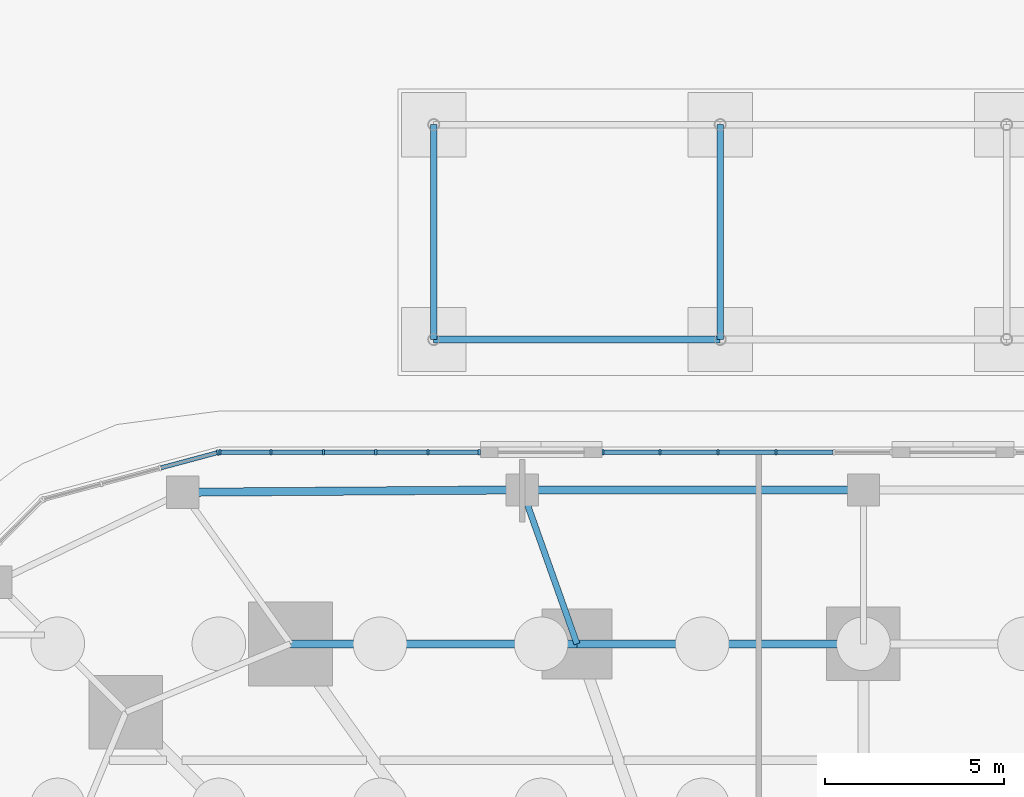
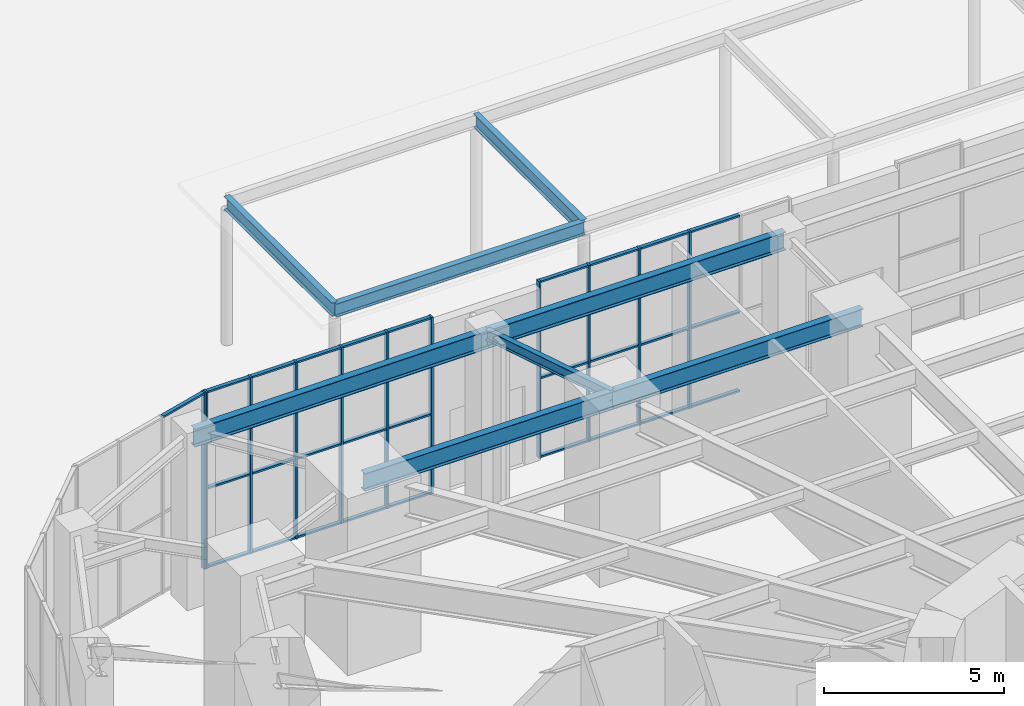
# One storey, part 14 of 43: 39 members, 8 beams, 3 elements without a shape of their own.
"""IFC4 building model written with IfcOpenShell, lengths in metres."""

from ifc_helpers import new_model, si_unit, direction, frame, origin, origin_2d, place, context, subcontext, project, spatial, rectangle, i_section, extrude, material, material_profile, profile_set, type_object, element, aggregate, save


model = new_model("IFC4")

# Units and contexts
model_context = context("Model", 3, precision=1e-05, world=origin(), true_north=direction((0.0, 1.0)))
body_context = subcontext(model_context, "Body", "Model", "MODEL_VIEW")
ifc_project = project(units=[si_unit("LENGTHUNIT", "METRE"), si_unit("AREAUNIT", "SQUARE_METRE"), si_unit("VOLUMEUNIT", "CUBIC_METRE"), si_unit("PLANEANGLEUNIT", "RADIAN"), si_unit("MASSUNIT", "GRAM", prefix="KILO")], contexts=[model_context])

# Site, building, storey
site_placement = place(None, origin())
site = spatial("IfcSite", under=ifc_project, at=site_placement, CompositionType="ELEMENT")
building_placement = place(site_placement, origin())
building = spatial("IfcBuilding", under=site, at=building_placement, Name="Nakasero Lantern House", CompositionType="ELEMENT")
storey_placement = place(building_placement, origin())
storey = spatial("IfcBuildingStorey", under=building, at=storey_placement, Name="L00", CompositionType="ELEMENT", Elevation=0.0)

# Beams
ifc_material_1 = material(Name="Steel S355", Category="steel")
ifc_material_profile_1 = material_profile(ifc_material_1, i_section(OverallWidth=0.18994140625, OverallDepth=0.453369140625, WebThickness=0.008544921875, FlangeThickness=0.0126953125, FilletRadius=0.01025390625, at=origin_2d()), Name="UB 457x191x67")
ifc_profile_set_1 = profile_set([ifc_material_profile_1], Name="Steel S355")
beam_type_1 = type_object("IfcBeamType", Name="Canopy beam UB 457x191x67", PredefinedType="BEAM", material=ifc_profile_set_1)
for number, where, z_axis, x_axis, name in (
    (1, (-12.0, 31.0, 4.773193359375), (0.0, 1.0, 0.0), (-1.0, 0.0, 0.0), "Canopy beam 1"),
    (2, (-4.0, 31.0, 4.773193359375), (0.0, 1.0, 0.0), (-1.0, 0.0, 0.0), "Canopy beam 2"),
):
    element("IfcBeam", number, at=place(storey_placement, frame(where, z_axis=z_axis, x_axis=x_axis)), inside=storey, type_object=beam_type_1, Name=name, PredefinedType="BEAM", context=body_context, shape_type="SweptSolid", body=[
        extrude(i_section(OverallWidth=0.18994140625, OverallDepth=0.453369140625, WebThickness=0.008544921875, FlangeThickness=0.0126953125, FilletRadius=0.01025390625, at=origin_2d()), origin(), (0.0, 0.0, 1.0), 6.0),
    ])
beam_1_placement = place(storey_placement, frame((-12.0, 31.0, 4.773193359375), z_axis=(1.0, 0.0, 0.0), x_axis=(0.0, 1.0, 0.0)))
element("IfcBeam", 3, at=beam_1_placement, inside=storey, type_object=beam_type_1, Name="Canopy edge beam 1.1", PredefinedType="BEAM", context=body_context, shape_type="SweptSolid", body=[
    extrude(i_section(OverallWidth=0.18994140625, OverallDepth=0.453369140625, WebThickness=0.008544921875, FlangeThickness=0.0126953125, FilletRadius=0.01025390625, at=origin_2d()), origin(), (0.0, 0.0, 1.0), 8.0),
])

# Curtain wall, members
ifc_material_2 = material(Name="Aluminium 6063-T6 and glass", Category="aluminium")
curtain_wall_type = type_object("IfcCurtainWallType", Name="Podium shopfront glazing CW-1", PredefinedType="USERDEFINED", material=ifc_material_2)
curtain_wall_1_placement = place(storey_placement, origin())
curtain_wall_1 = element("IfcCurtainWall", 4, at=curtain_wall_1_placement, inside=storey, type_object=curtain_wall_type, Name="Curtain wall CW-1 L00", ObjectType="STICK CURTAIN WALL", PredefinedType="USERDEFINED")
ifc_material_3 = material(Name="Aluminium 6063-T6", Category="aluminium")
ifc_material_profile_2 = material_profile(ifc_material_3, rectangle(XDim=0.06005859375, YDim=0.159912109375, at=origin_2d()), Name="CW-1 mullion 60x160")
ifc_profile_set_2 = profile_set([ifc_material_profile_2], Name="Aluminium 6063-T6")
member_type_1 = type_object("IfcMemberType", Name="Mullion CW-1", PredefinedType="MULLION", material=ifc_profile_set_2)
member_1_placement = place(storey_placement, frame((-2.43994140625, 27.85009765625, 0.0), z_axis=(0.0, 0.0, 1.0), x_axis=(-1.0, 0.0, 0.0)))
member_1 = element("IfcMember", 5, at=member_1_placement, type_object=member_type_1, Name="CW-1 mullion 3", PredefinedType="MULLION", context=body_context, shape_type="SweptSolid", body=[
    extrude(rectangle(XDim=0.06005859375, YDim=0.159912109375, at=origin_2d()), origin(), (0.0, 0.0, 1.0), 6.0),
])
member_2_placement = place(storey_placement, frame((-4.06005859375, 27.85009765625, 0.0), z_axis=(0.0, 0.0, 1.0), x_axis=(-1.0, 0.0, 0.0)))
member_2 = element("IfcMember", 6, at=member_2_placement, type_object=member_type_1, Name="CW-1 mullion 4", PredefinedType="MULLION", context=body_context, shape_type="SweptSolid", body=[
    extrude(rectangle(XDim=0.06005859375, YDim=0.159912109375, at=origin_2d()), origin(), (0.0, 0.0, 1.0), 6.0),
])
member_3_placement = place(storey_placement, frame((-5.679931640625, 27.85009765625, 0.0), z_axis=(0.0, 0.0, 1.0), x_axis=(-1.0, 0.0, 0.0)))
member_3 = element("IfcMember", 7, at=member_3_placement, type_object=member_type_1, Name="CW-1 mullion 5", PredefinedType="MULLION", context=body_context, shape_type="SweptSolid", body=[
    extrude(rectangle(XDim=0.06005859375, YDim=0.159912109375, at=origin_2d()), origin(), (0.0, 0.0, 1.0), 6.0),
])
member_4_placement = place(storey_placement, frame((-7.27001953125, 27.85009765625, 0.0), z_axis=(0.0, 0.0, 1.0), x_axis=(-1.0, 0.0, 0.0)))
member_4 = element("IfcMember", 8, at=member_4_placement, type_object=member_type_1, Name="CW-1 mullion 6", PredefinedType="MULLION", context=body_context, shape_type="SweptSolid", body=[
    extrude(rectangle(XDim=0.06005859375, YDim=0.159912109375, at=origin_2d()), origin(), (0.0, 0.0, 1.0), 6.0),
])

curtain_wall_2_placement = place(storey_placement, origin())
curtain_wall_2 = element("IfcCurtainWall", 9, at=curtain_wall_2_placement, inside=storey, type_object=curtain_wall_type, Name="Curtain wall CW-1 L00", ObjectType="STICK CURTAIN WALL", PredefinedType="USERDEFINED")
member_5_placement = place(storey_placement, frame((-10.72998046875, 27.85009765625, 0.0), z_axis=(0.0, 0.0, 1.0), x_axis=(-1.0, 0.0, 0.0)))
member_5 = element("IfcMember", 10, at=member_5_placement, type_object=member_type_1, Name="CW-1 mullion 1", PredefinedType="MULLION", context=body_context, shape_type="SweptSolid", body=[
    extrude(rectangle(XDim=0.06005859375, YDim=0.159912109375, at=origin_2d()), origin(), (0.0, 0.0, 1.0), 6.0),
])
member_6_placement = place(storey_placement, frame((-12.159912109375, 27.85009765625, 0.0), z_axis=(0.0, 0.0, 1.0), x_axis=(-1.0, 0.0, 0.0)))
member_6 = element("IfcMember", 11, at=member_6_placement, type_object=member_type_1, Name="CW-1 mullion 2", PredefinedType="MULLION", context=body_context, shape_type="SweptSolid", body=[
    extrude(rectangle(XDim=0.06005859375, YDim=0.159912109375, at=origin_2d()), origin(), (0.0, 0.0, 1.0), 6.0),
])
member_7_placement = place(storey_placement, frame((-13.6201171875, 27.85009765625, 0.0), z_axis=(0.0, 0.0, 1.0), x_axis=(-1.0, 0.0, 0.0)))
member_7 = element("IfcMember", 12, at=member_7_placement, type_object=member_type_1, Name="CW-1 mullion 3", PredefinedType="MULLION", context=body_context, shape_type="SweptSolid", body=[
    extrude(rectangle(XDim=0.06005859375, YDim=0.159912109375, at=origin_2d()), origin(), (0.0, 0.0, 1.0), 6.0),
])
member_8_placement = place(storey_placement, frame((-15.080078125, 27.85009765625, 0.0), z_axis=(0.0, 0.0, 1.0), x_axis=(-1.0, 0.0, 0.0)))
member_8 = element("IfcMember", 13, at=member_8_placement, type_object=member_type_1, Name="CW-1 mullion 4", PredefinedType="MULLION", context=body_context, shape_type="SweptSolid", body=[
    extrude(rectangle(XDim=0.06005859375, YDim=0.159912109375, at=origin_2d()), origin(), (0.0, 0.0, 1.0), 6.0),
])
member_9_placement = place(storey_placement, frame((-16.5400390625, 27.85009765625, 0.0), z_axis=(0.0, 0.0, 1.0), x_axis=(-1.0, 0.0, 0.0)))
member_9 = element("IfcMember", 14, at=member_9_placement, type_object=member_type_1, Name="CW-1 mullion 5", PredefinedType="MULLION", context=body_context, shape_type="SweptSolid", body=[
    extrude(rectangle(XDim=0.06005859375, YDim=0.159912109375, at=origin_2d()), origin(), (0.0, 0.0, 1.0), 6.0),
])
member_10_placement = place(storey_placement, frame((-17.969970703125, 27.85009765625, 0.0), z_axis=(0.0, 0.0, 1.0), x_axis=(-1.0, 0.0, 0.0)))
member_10 = element("IfcMember", 15, at=member_10_placement, type_object=member_type_1, Name="CW-1 mullion 6", PredefinedType="MULLION", context=body_context, shape_type="SweptSolid", body=[
    extrude(rectangle(XDim=0.06005859375, YDim=0.159912109375, at=origin_2d()), origin(), (0.0, 0.0, 1.0), 6.0),
])

# Curtain wall, member
curtain_wall_3_placement = place(storey_placement, origin())
curtain_wall_3 = element("IfcCurtainWall", 16, at=curtain_wall_3_placement, inside=storey, type_object=curtain_wall_type, Name="Curtain wall CW-1 L00", ObjectType="STICK CURTAIN WALL", PredefinedType="USERDEFINED")
member_11_placement = place(storey_placement, frame((-18.029052734375, 27.84228515625, 0.0), z_axis=(0.0, 0.0, 1.0), x_axis=(-0.965925826289, -0.258819045103, 0.0)))
member_11 = element("IfcMember", 17, at=member_11_placement, type_object=member_type_1, Name="CW-1 mullion 1", PredefinedType="MULLION", context=body_context, shape_type="SweptSolid", body=[
    extrude(rectangle(XDim=0.06005859375, YDim=0.159912109375, at=origin_2d()), origin(), (0.0, 0.0, 1.0), 6.0),
])

# Beams
ifc_material_4 = material(Name="Steel S355", Category="steel")
ifc_material_profile_3 = material_profile(ifc_material_4, i_section(OverallWidth=0.17138671875, OverallDepth=0.35498046875, WebThickness=0.00732421875, FlangeThickness=0.011474609375, FilletRadius=0.01025390625, at=origin_2d()), Name="UB 356x171x51")
ifc_profile_set_3 = profile_set([ifc_material_profile_3], Name="Steel S355")
beam_type_2 = type_object("IfcBeamType", Name="Primary beam UB 356x171x51, span to 6 m", PredefinedType="BEAM", material=ifc_profile_set_3)
beam_2_placement = place(storey_placement, frame((-9.52880859375, 26.800048828125, 5.62255859375), z_axis=(0.334990670833, -0.942221444489, 0.0), x_axis=(0.942221444489, 0.334990670833, 0.0)))
element("IfcBeam", 18, at=beam_2_placement, inside=storey, type_object=beam_type_2, Name="Primary beam L01 POD-C10", PredefinedType="BEAM", context=body_context, shape_type="SweptSolid", body=[
    extrude(i_section(OverallWidth=0.17138671875, OverallDepth=0.35498046875, WebThickness=0.00732421875, FlangeThickness=0.011474609375, FilletRadius=0.01025390625, at=origin_2d()), origin(), (0.0, 0.0, 1.0), 4.563720703125),
])
ifc_material_5 = material(Name="Steel S355", Category="steel")
ifc_material_profile_4 = material_profile(ifc_material_5, i_section(OverallWidth=0.2275390625, OverallDepth=0.6025390625, WebThickness=0.010498046875, FlangeThickness=0.014892578125, FilletRadius=0.0126953125, at=origin_2d()), Name="UB 610x229x101")
ifc_profile_set_4 = profile_set([ifc_material_profile_4], Name="Steel S355")
beam_type_3 = type_object("IfcBeamType", Name="Ring beam UB 610x229x101", PredefinedType="BEAM", material=ifc_profile_set_4)
for number, where, z_axis, x_axis, name in (
    (19, (0.0, 22.5, 5.498779296875), (-1.0, 0.0, 0.0), (0.0, -1.0, 0.0), "Ring beam L01 B1-C09"),
    (20, (-8.0, 22.5, 5.498779296875), (-1.0, 0.0, 0.0), (0.0, -1.0, 0.0), "Ring beam L01 B1-C10"),
):
    element("IfcBeam", number, at=place(storey_placement, frame(where, z_axis=z_axis, x_axis=x_axis)), inside=storey, type_object=beam_type_3, Name=name, PredefinedType="BEAM", context=body_context, shape_type="SweptSolid", body=[
        extrude(i_section(OverallWidth=0.2275390625, OverallDepth=0.6025390625, WebThickness=0.010498046875, FlangeThickness=0.014892578125, FilletRadius=0.0126953125, at=origin_2d()), origin(), (0.0, 0.0, 1.0), 8.0),
    ])
ifc_material_6 = material(Name="Steel S355", Category="steel")
ifc_material_profile_5 = material_profile(ifc_material_6, i_section(OverallWidth=0.22900390625, OverallDepth=0.6123046875, WebThickness=0.011962890625, FlangeThickness=0.01953125, FilletRadius=0.0126953125, at=origin_2d()), Name="UB 610x229x125")
ifc_profile_set_5 = profile_set([ifc_material_profile_5], Name="Steel S355")
beam_type_4 = type_object("IfcBeamType", Name="Ring beam UB 610x229x125", PredefinedType="BEAM", material=ifc_profile_set_5)
beam_3_placement = place(storey_placement, frame((0.0, 26.800048828125, 5.493896484375), z_axis=(-1.0, 0.0, 0.0), x_axis=(0.0, -1.0, 0.0)))
element("IfcBeam", 21, at=beam_3_placement, inside=storey, type_object=beam_type_4, Name="Ring beam L01 POD-C09", PredefinedType="BEAM", context=body_context, shape_type="SweptSolid", body=[
    extrude(i_section(OverallWidth=0.22900390625, OverallDepth=0.6123046875, WebThickness=0.011962890625, FlangeThickness=0.01953125, FilletRadius=0.0126953125, at=origin_2d()), origin(), (0.0, 0.0, 1.0), 9.52880859375),
])
beam_4_placement = place(storey_placement, frame((-9.52880859375, 26.800048828125, 5.493896484375), z_axis=(-0.999975476745, -0.007003278482, 0.0), x_axis=(0.007003278482, -0.999975476745, 0.0)))
element("IfcBeam", 22, at=beam_4_placement, inside=storey, type_object=beam_type_4, Name="Ring beam L01 POD-C10", PredefinedType="BEAM", context=body_context, shape_type="SweptSolid", body=[
    extrude(i_section(OverallWidth=0.22900390625, OverallDepth=0.6123046875, WebThickness=0.011962890625, FlangeThickness=0.01953125, FilletRadius=0.0126953125, at=origin_2d()), origin(), (0.0, 0.0, 1.0), 9.482177734375),
])

# Member
ifc_material_7 = material(Name="Aluminium 6063-T6", Category="aluminium")
ifc_material_profile_6 = material_profile(ifc_material_7, rectangle(XDim=0.06005859375, YDim=0.1201171875, at=origin_2d()), Name="CW-1 transom 60x120")
ifc_profile_set_6 = profile_set([ifc_material_profile_6], Name="Aluminium 6063-T6")
member_type_2 = type_object("IfcMemberType", Name="Transom CW-1", PredefinedType="USERDEFINED", material=ifc_profile_set_6)
member_12_placement = place(storey_placement, frame((-0.85009765625, 27.85009765625, 0.030029296875), z_axis=(-1.0, 0.0, 0.0), x_axis=(0.0, 0.0, 1.0)))
member_12 = element("IfcMember", 23, at=member_12_placement, type_object=member_type_2, Name="CW-1 transom 2.1", ObjectType="TRANSOM", PredefinedType="USERDEFINED", context=body_context, shape_type="SweptSolid", body=[
    extrude(rectangle(XDim=0.06005859375, YDim=0.1201171875, at=origin_2d()), origin(), (0.0, 0.0, 1.0), 1.559814453125),
])

member_13_placement = place(storey_placement, frame((-0.85009765625, 27.85009765625, 2.699951171875), z_axis=(-1.0, 0.0, 0.0), x_axis=(0.0, 0.0, 1.0)))
member_13 = element("IfcMember", 24, at=member_13_placement, type_object=member_type_2, Name="CW-1 transom 2.2", ObjectType="TRANSOM", PredefinedType="USERDEFINED", context=body_context, shape_type="SweptSolid", body=[
    extrude(rectangle(XDim=0.06005859375, YDim=0.1201171875, at=origin_2d()), origin(), (0.0, 0.0, 1.0), 1.559814453125),
])

member_14_placement = place(storey_placement, frame((-0.85009765625, 27.85009765625, 5.969970703125), z_axis=(-1.0, 0.0, 0.0), x_axis=(0.0, 0.0, 1.0)))
member_14 = element("IfcMember", 25, at=member_14_placement, type_object=member_type_2, Name="CW-1 transom 2.3", ObjectType="TRANSOM", PredefinedType="USERDEFINED", context=body_context, shape_type="SweptSolid", body=[
    extrude(rectangle(XDim=0.06005859375, YDim=0.1201171875, at=origin_2d()), origin(), (0.0, 0.0, 1.0), 1.559814453125),
])

member_15_placement = place(storey_placement, frame((-2.469970703125, 27.85009765625, 0.030029296875), z_axis=(-1.0, 0.0, 0.0), x_axis=(0.0, 0.0, 1.0)))
member_15 = element("IfcMember", 26, at=member_15_placement, type_object=member_type_2, Name="CW-1 transom 3.1", ObjectType="TRANSOM", PredefinedType="USERDEFINED", context=body_context, shape_type="SweptSolid", body=[
    extrude(rectangle(XDim=0.06005859375, YDim=0.1201171875, at=origin_2d()), origin(), (0.0, 0.0, 1.0), 1.56005859375),
])

member_16_placement = place(storey_placement, frame((-2.469970703125, 27.85009765625, 2.699951171875), z_axis=(-1.0, 0.0, 0.0), x_axis=(0.0, 0.0, 1.0)))
member_16 = element("IfcMember", 27, at=member_16_placement, type_object=member_type_2, Name="CW-1 transom 3.2", ObjectType="TRANSOM", PredefinedType="USERDEFINED", context=body_context, shape_type="SweptSolid", body=[
    extrude(rectangle(XDim=0.06005859375, YDim=0.1201171875, at=origin_2d()), origin(), (0.0, 0.0, 1.0), 1.56005859375),
])

member_17_placement = place(storey_placement, frame((-2.469970703125, 27.85009765625, 5.969970703125), z_axis=(-1.0, 0.0, 0.0), x_axis=(0.0, 0.0, 1.0)))
member_17 = element("IfcMember", 28, at=member_17_placement, type_object=member_type_2, Name="CW-1 transom 3.3", ObjectType="TRANSOM", PredefinedType="USERDEFINED", context=body_context, shape_type="SweptSolid", body=[
    extrude(rectangle(XDim=0.06005859375, YDim=0.1201171875, at=origin_2d()), origin(), (0.0, 0.0, 1.0), 1.56005859375),
])

member_18_placement = place(storey_placement, frame((-4.090087890625, 27.85009765625, 0.030029296875), z_axis=(-1.0, 0.0, 0.0), x_axis=(0.0, 0.0, 1.0)))
member_18 = element("IfcMember", 29, at=member_18_placement, type_object=member_type_2, Name="CW-1 transom 4.1", ObjectType="TRANSOM", PredefinedType="USERDEFINED", context=body_context, shape_type="SweptSolid", body=[
    extrude(rectangle(XDim=0.06005859375, YDim=0.1201171875, at=origin_2d()), origin(), (0.0, 0.0, 1.0), 1.559814453125),
])

member_19_placement = place(storey_placement, frame((-4.090087890625, 27.85009765625, 2.699951171875), z_axis=(-1.0, 0.0, 0.0), x_axis=(0.0, 0.0, 1.0)))
member_19 = element("IfcMember", 30, at=member_19_placement, type_object=member_type_2, Name="CW-1 transom 4.2", ObjectType="TRANSOM", PredefinedType="USERDEFINED", context=body_context, shape_type="SweptSolid", body=[
    extrude(rectangle(XDim=0.06005859375, YDim=0.1201171875, at=origin_2d()), origin(), (0.0, 0.0, 1.0), 1.559814453125),
])

member_20_placement = place(storey_placement, frame((-4.090087890625, 27.85009765625, 5.969970703125), z_axis=(-1.0, 0.0, 0.0), x_axis=(0.0, 0.0, 1.0)))
member_20 = element("IfcMember", 31, at=member_20_placement, type_object=member_type_2, Name="CW-1 transom 4.3", ObjectType="TRANSOM", PredefinedType="USERDEFINED", context=body_context, shape_type="SweptSolid", body=[
    extrude(rectangle(XDim=0.06005859375, YDim=0.1201171875, at=origin_2d()), origin(), (0.0, 0.0, 1.0), 1.559814453125),
])

member_21_placement = place(storey_placement, frame((-5.7099609375, 27.85009765625, 0.030029296875), z_axis=(-1.0, 0.0, 0.0), x_axis=(0.0, 0.0, 1.0)))
member_21 = element("IfcMember", 32, at=member_21_placement, type_object=member_type_2, Name="CW-1 transom 5.1", ObjectType="TRANSOM", PredefinedType="USERDEFINED", context=body_context, shape_type="SweptSolid", body=[
    extrude(rectangle(XDim=0.06005859375, YDim=0.1201171875, at=origin_2d()), origin(), (0.0, 0.0, 1.0), 1.530029296875),
])

member_22_placement = place(storey_placement, frame((-5.7099609375, 27.85009765625, 2.699951171875), z_axis=(-1.0, 0.0, 0.0), x_axis=(0.0, 0.0, 1.0)))
member_22 = element("IfcMember", 33, at=member_22_placement, type_object=member_type_2, Name="CW-1 transom 5.2", ObjectType="TRANSOM", PredefinedType="USERDEFINED", context=body_context, shape_type="SweptSolid", body=[
    extrude(rectangle(XDim=0.06005859375, YDim=0.1201171875, at=origin_2d()), origin(), (0.0, 0.0, 1.0), 1.530029296875),
])

member_23_placement = place(storey_placement, frame((-5.7099609375, 27.85009765625, 5.969970703125), z_axis=(-1.0, 0.0, 0.0), x_axis=(0.0, 0.0, 1.0)))
member_23 = element("IfcMember", 34, at=member_23_placement, type_object=member_type_2, Name="CW-1 transom 5.3", ObjectType="TRANSOM", PredefinedType="USERDEFINED", context=body_context, shape_type="SweptSolid", body=[
    extrude(rectangle(XDim=0.06005859375, YDim=0.1201171875, at=origin_2d()), origin(), (0.0, 0.0, 1.0), 1.530029296875),
])

aggregate(curtain_wall_1, [member_1, member_2, member_3, member_4, member_12, member_13, member_14, member_15, member_16, member_17, member_18, member_19, member_20, member_21, member_22, member_23])

member_24_placement = place(storey_placement, frame((-10.760009765625, 27.85009765625, 0.030029296875), z_axis=(-1.0, 0.0, 0.0), x_axis=(0.0, 0.0, 1.0)))
member_24 = element("IfcMember", 35, at=member_24_placement, type_object=member_type_2, Name="CW-1 transom 1.1", ObjectType="TRANSOM", PredefinedType="USERDEFINED", context=body_context, shape_type="SweptSolid", body=[
    extrude(rectangle(XDim=0.06005859375, YDim=0.1201171875, at=origin_2d()), origin(), (0.0, 0.0, 1.0), 1.369873046875),
])

member_25_placement = place(storey_placement, frame((-10.760009765625, 27.85009765625, 2.699951171875), z_axis=(-1.0, 0.0, 0.0), x_axis=(0.0, 0.0, 1.0)))
member_25 = element("IfcMember", 36, at=member_25_placement, type_object=member_type_2, Name="CW-1 transom 1.2", ObjectType="TRANSOM", PredefinedType="USERDEFINED", context=body_context, shape_type="SweptSolid", body=[
    extrude(rectangle(XDim=0.06005859375, YDim=0.1201171875, at=origin_2d()), origin(), (0.0, 0.0, 1.0), 1.369873046875),
])

member_26_placement = place(storey_placement, frame((-10.760009765625, 27.85009765625, 5.969970703125), z_axis=(-1.0, 0.0, 0.0), x_axis=(0.0, 0.0, 1.0)))
member_26 = element("IfcMember", 37, at=member_26_placement, type_object=member_type_2, Name="CW-1 transom 1.3", ObjectType="TRANSOM", PredefinedType="USERDEFINED", context=body_context, shape_type="SweptSolid", body=[
    extrude(rectangle(XDim=0.06005859375, YDim=0.1201171875, at=origin_2d()), origin(), (0.0, 0.0, 1.0), 1.369873046875),
])

member_27_placement = place(storey_placement, frame((-12.18994140625, 27.85009765625, 0.030029296875), z_axis=(-1.0, 0.0, 0.0), x_axis=(0.0, 0.0, 1.0)))
member_27 = element("IfcMember", 38, at=member_27_placement, type_object=member_type_2, Name="CW-1 transom 2.1", ObjectType="TRANSOM", PredefinedType="USERDEFINED", context=body_context, shape_type="SweptSolid", body=[
    extrude(rectangle(XDim=0.06005859375, YDim=0.1201171875, at=origin_2d()), origin(), (0.0, 0.0, 1.0), 1.400146484375),
])

member_28_placement = place(storey_placement, frame((-12.18994140625, 27.85009765625, 2.699951171875), z_axis=(-1.0, 0.0, 0.0), x_axis=(0.0, 0.0, 1.0)))
member_28 = element("IfcMember", 39, at=member_28_placement, type_object=member_type_2, Name="CW-1 transom 2.2", ObjectType="TRANSOM", PredefinedType="USERDEFINED", context=body_context, shape_type="SweptSolid", body=[
    extrude(rectangle(XDim=0.06005859375, YDim=0.1201171875, at=origin_2d()), origin(), (0.0, 0.0, 1.0), 1.400146484375),
])

member_29_placement = place(storey_placement, frame((-12.18994140625, 27.85009765625, 5.969970703125), z_axis=(-1.0, 0.0, 0.0), x_axis=(0.0, 0.0, 1.0)))
member_29 = element("IfcMember", 40, at=member_29_placement, type_object=member_type_2, Name="CW-1 transom 2.3", ObjectType="TRANSOM", PredefinedType="USERDEFINED", context=body_context, shape_type="SweptSolid", body=[
    extrude(rectangle(XDim=0.06005859375, YDim=0.1201171875, at=origin_2d()), origin(), (0.0, 0.0, 1.0), 1.400146484375),
])

member_30_placement = place(storey_placement, frame((-13.64990234375, 27.85009765625, 0.030029296875), z_axis=(-1.0, 0.0, 0.0), x_axis=(0.0, 0.0, 1.0)))
member_30 = element("IfcMember", 41, at=member_30_placement, type_object=member_type_2, Name="CW-1 transom 3.1", ObjectType="TRANSOM", PredefinedType="USERDEFINED", context=body_context, shape_type="SweptSolid", body=[
    extrude(rectangle(XDim=0.06005859375, YDim=0.1201171875, at=origin_2d()), origin(), (0.0, 0.0, 1.0), 1.400146484375),
])

member_31_placement = place(storey_placement, frame((-13.64990234375, 27.85009765625, 2.699951171875), z_axis=(-1.0, 0.0, 0.0), x_axis=(0.0, 0.0, 1.0)))
member_31 = element("IfcMember", 42, at=member_31_placement, type_object=member_type_2, Name="CW-1 transom 3.2", ObjectType="TRANSOM", PredefinedType="USERDEFINED", context=body_context, shape_type="SweptSolid", body=[
    extrude(rectangle(XDim=0.06005859375, YDim=0.1201171875, at=origin_2d()), origin(), (0.0, 0.0, 1.0), 1.400146484375),
])

member_32_placement = place(storey_placement, frame((-13.64990234375, 27.85009765625, 5.969970703125), z_axis=(-1.0, 0.0, 0.0), x_axis=(0.0, 0.0, 1.0)))
member_32 = element("IfcMember", 43, at=member_32_placement, type_object=member_type_2, Name="CW-1 transom 3.3", ObjectType="TRANSOM", PredefinedType="USERDEFINED", context=body_context, shape_type="SweptSolid", body=[
    extrude(rectangle(XDim=0.06005859375, YDim=0.1201171875, at=origin_2d()), origin(), (0.0, 0.0, 1.0), 1.400146484375),
])

member_33_placement = place(storey_placement, frame((-15.110107421875, 27.85009765625, 0.030029296875), z_axis=(-1.0, 0.0, 0.0), x_axis=(0.0, 0.0, 1.0)))
member_33 = element("IfcMember", 44, at=member_33_placement, type_object=member_type_2, Name="CW-1 transom 4.1", ObjectType="TRANSOM", PredefinedType="USERDEFINED", context=body_context, shape_type="SweptSolid", body=[
    extrude(rectangle(XDim=0.06005859375, YDim=0.1201171875, at=origin_2d()), origin(), (0.0, 0.0, 1.0), 1.39990234375),
])

member_34_placement = place(storey_placement, frame((-15.110107421875, 27.85009765625, 2.699951171875), z_axis=(-1.0, 0.0, 0.0), x_axis=(0.0, 0.0, 1.0)))
member_34 = element("IfcMember", 45, at=member_34_placement, type_object=member_type_2, Name="CW-1 transom 4.2", ObjectType="TRANSOM", PredefinedType="USERDEFINED", context=body_context, shape_type="SweptSolid", body=[
    extrude(rectangle(XDim=0.06005859375, YDim=0.1201171875, at=origin_2d()), origin(), (0.0, 0.0, 1.0), 1.39990234375),
])

member_35_placement = place(storey_placement, frame((-15.110107421875, 27.85009765625, 5.969970703125), z_axis=(-1.0, 0.0, 0.0), x_axis=(0.0, 0.0, 1.0)))
member_35 = element("IfcMember", 46, at=member_35_placement, type_object=member_type_2, Name="CW-1 transom 4.3", ObjectType="TRANSOM", PredefinedType="USERDEFINED", context=body_context, shape_type="SweptSolid", body=[
    extrude(rectangle(XDim=0.06005859375, YDim=0.1201171875, at=origin_2d()), origin(), (0.0, 0.0, 1.0), 1.39990234375),
])

member_36_placement = place(storey_placement, frame((-16.570068359375, 27.85009765625, 0.030029296875), z_axis=(-1.0, 0.0, 0.0), x_axis=(0.0, 0.0, 1.0)))
member_36 = element("IfcMember", 47, at=member_36_placement, type_object=member_type_2, Name="CW-1 transom 5.1", ObjectType="TRANSOM", PredefinedType="USERDEFINED", context=body_context, shape_type="SweptSolid", body=[
    extrude(rectangle(XDim=0.06005859375, YDim=0.1201171875, at=origin_2d()), origin(), (0.0, 0.0, 1.0), 1.369873046875),
])

member_37_placement = place(storey_placement, frame((-16.570068359375, 27.85009765625, 2.699951171875), z_axis=(-1.0, 0.0, 0.0), x_axis=(0.0, 0.0, 1.0)))
member_37 = element("IfcMember", 48, at=member_37_placement, type_object=member_type_2, Name="CW-1 transom 5.2", ObjectType="TRANSOM", PredefinedType="USERDEFINED", context=body_context, shape_type="SweptSolid", body=[
    extrude(rectangle(XDim=0.06005859375, YDim=0.1201171875, at=origin_2d()), origin(), (0.0, 0.0, 1.0), 1.369873046875),
])

member_38_placement = place(storey_placement, frame((-16.570068359375, 27.85009765625, 5.969970703125), z_axis=(-1.0, 0.0, 0.0), x_axis=(0.0, 0.0, 1.0)))
member_38 = element("IfcMember", 49, at=member_38_placement, type_object=member_type_2, Name="CW-1 transom 5.3", ObjectType="TRANSOM", PredefinedType="USERDEFINED", context=body_context, shape_type="SweptSolid", body=[
    extrude(rectangle(XDim=0.06005859375, YDim=0.1201171875, at=origin_2d()), origin(), (0.0, 0.0, 1.0), 1.369873046875),
])

aggregate(curtain_wall_2, [member_5, member_6, member_7, member_8, member_9, member_10, member_24, member_25, member_26, member_27, member_28, member_29, member_30, member_31, member_32, member_33, member_34, member_35, member_36, member_37, member_38])

member_39_placement = place(storey_placement, frame((-18.057861328125, 27.83447265625, 5.969970703125), z_axis=(-0.96594737463, -0.258738612203, 0.0), x_axis=(0.0, 0.0, 1.0)))
member_39 = element("IfcMember", 50, at=member_39_placement, type_object=member_type_2, Name="CW-1 transom 1.3", ObjectType="TRANSOM", PredefinedType="USERDEFINED", context=body_context, shape_type="SweptSolid", body=[
    extrude(rectangle(XDim=0.06005859375, YDim=0.1201171875, at=origin_2d()), origin(), (0.0, 0.0, 1.0), 1.60986328125),
])

aggregate(curtain_wall_3, [member_11, member_39])

save(model, "model.ifc")
